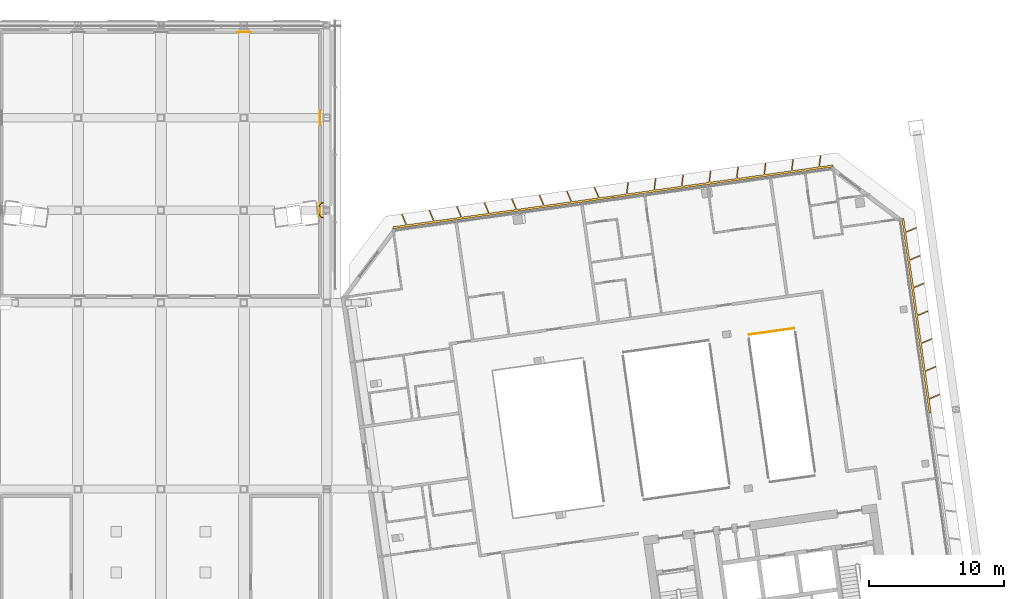
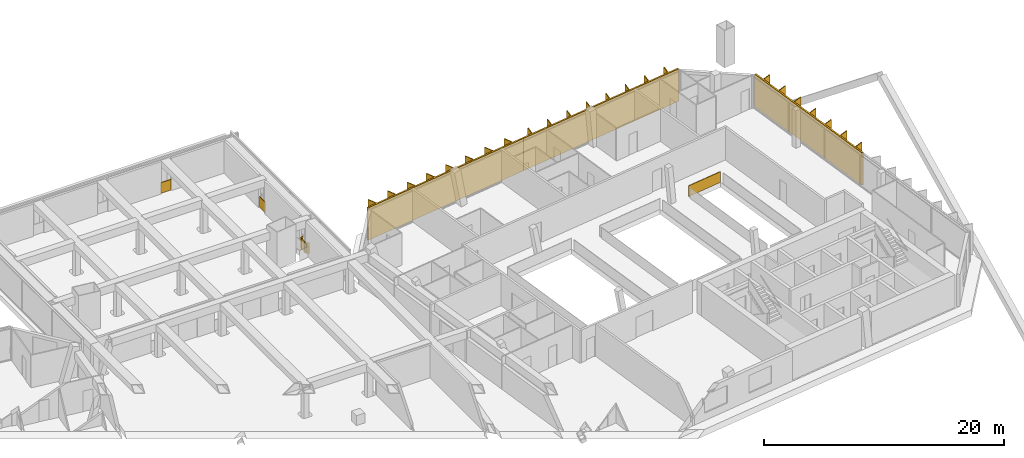
# One storey, part 27 of 28: 6 railings, 3 shading devices.
"""IFC4 building model written with IfcOpenShell, lengths in metres."""

from ifc_helpers import new_model, si_unit, direction, frame, origin, origin_2d, place, context, subcontext, project, spatial, polyline, rectangle, outline, extrude, material, type_object, element, save


model = new_model("IFC4")

# Units and contexts
model_context = context("Model", 3, precision=1e-05, world=origin(), true_north=direction((0.0, 1.0)))
body_context = subcontext(model_context, "Body", "Model", "MODEL_VIEW")
ifc_project = project(units=[si_unit("LENGTHUNIT", "METRE"), si_unit("AREAUNIT", "SQUARE_METRE"), si_unit("VOLUMEUNIT", "CUBIC_METRE"), si_unit("PLANEANGLEUNIT", "RADIAN"), si_unit("MASSUNIT", "GRAM", prefix="KILO")], contexts=[model_context])

# Site, building, storey
site_placement = place(None, origin())
site = spatial("IfcSite", under=ifc_project, at=site_placement, CompositionType="ELEMENT")
building_placement = place(site_placement, origin())
building = spatial("IfcBuilding", under=site, at=building_placement, Name="Mirante Cascada Hotel Towers", CompositionType="ELEMENT")
storey_placement = place(building_placement, frame((0.0, 0.0, 262.2)))
storey = spatial("IfcBuildingStorey", under=building, at=storey_placement, Name="L63", CompositionType="ELEMENT", Elevation=262.2)

# Railings
ifc_material_1 = material(Name="Toughened glass with stainless steel handrail", Category="steel")
railing_type_1 = type_object("IfcRailingType", Name="Atrium guard 1100 glass balustrade", PredefinedType="GUARDRAIL", material=ifc_material_1)
railing_1_placement = place(storey_placement, frame((46.5815, 8.0051, 0.0)))
element("IfcRailing", 1, at=railing_1_placement, inside=storey, type_object=railing_type_1, Name="GUARD 2-L63-5", PredefinedType="GUARDRAIL", context=body_context, shape_type="SweptSolid", body=[
    extrude(rectangle(XDim=0.048, YDim=0.048, at=origin_2d()), frame((0.0, 0.0, 1.076), z_axis=(0.9902566, 0.1392548, 0.0), x_axis=(-0.1392548, 0.9902566, 0.0)), (0.0, 0.0, 1.0), 0.1874),
    extrude(rectangle(XDim=0.02, YDim=1.052, at=origin_2d()), frame((0.0, 0.0, 0.526), z_axis=(0.9902566, 0.1392548, 0.0), x_axis=(-0.1392548, 0.9902566, 0.0)), (0.0, 0.0, 1.0), 0.1874),
    extrude(rectangle(XDim=0.048, YDim=0.048, at=origin_2d()), frame((0.1856, 0.0261, 1.076), z_axis=(-0.9902676, -0.1391767, 0.0), x_axis=(0.1391767, -0.9902676, 0.0)), (0.0, 0.0, 1.0), 3.3748),
    extrude(rectangle(XDim=0.02, YDim=1.052, at=origin_2d()), frame((0.1856, 0.0261, 0.526), z_axis=(-0.9902676, -0.1391767, 0.0), x_axis=(0.1391767, -0.9902676, 0.0)), (0.0, 0.0, 1.0), 3.3748),
    extrude(rectangle(XDim=0.048, YDim=0.048, at=origin_2d()), frame((-3.1564, -0.4436, 1.076), z_axis=(1.0, 0.0, 0.0), x_axis=(0.0, 1.0, 0.0)), (0.0, 0.0, 1.0), 0.0001),
    extrude(rectangle(XDim=0.02, YDim=1.052, at=origin_2d()), frame((-3.1564, -0.4436, 0.526), z_axis=(1.0, 0.0, 0.0), x_axis=(0.0, 1.0, 0.0)), (0.0, 0.0, 1.0), 0.0001),
])
ifc_material_2 = material(Name="Toughened glass", Category="glass")
railing_type_2 = type_object("IfcRailingType", Name="Deck column opening guard 1100 glass balustrade", PredefinedType="GUARDRAIL", material=ifc_material_2)
railing_2_placement = place(storey_placement, frame((11.7014, 16.4975, 0.0)))
element("IfcRailing", 2, at=railing_2_placement, inside=storey, type_object=railing_type_2, Name="Column opening guard L63 5", PredefinedType="GUARDRAIL", context=body_context, shape_type="SweptSolid", body=[
    extrude(rectangle(XDim=0.048, YDim=0.048, at=origin_2d()), frame((0.0, 0.0, 1.076), z_axis=(0.0, -1.0, 0.0), x_axis=(1.0, 0.0, 0.0)), (0.0, 0.0, 1.0), 0.0012),
    extrude(rectangle(XDim=0.02, YDim=1.052, at=origin_2d()), frame((0.0, 0.0, 0.526), z_axis=(0.0, -1.0, 0.0), x_axis=(1.0, 0.0, 0.0)), (0.0, 0.0, 1.0), 0.0012),
    extrude(rectangle(XDim=0.048, YDim=0.048, at=origin_2d()), frame((0.0, -0.0012, 1.076), z_axis=(0.0495843, -0.9987699, 0.0), x_axis=(0.9987699, 0.0495843, 0.0)), (0.0, 0.0, 1.0), 0.0282),
    extrude(rectangle(XDim=0.02, YDim=1.052, at=origin_2d()), frame((0.0, -0.0012, 0.526), z_axis=(0.0495843, -0.9987699, 0.0), x_axis=(0.9987699, 0.0495843, 0.0)), (0.0, 0.0, 1.0), 0.0282),
    extrude(rectangle(XDim=0.048, YDim=0.048, at=origin_2d()), frame((0.0014, -0.0294, 1.076), z_axis=(0.146179, -0.9892582, 0.0), x_axis=(0.9892582, 0.146179, 0.0)), (0.0, 0.0, 1.0), 0.0294),
    extrude(rectangle(XDim=0.02, YDim=1.052, at=origin_2d()), frame((0.0014, -0.0294, 0.526), z_axis=(0.146179, -0.9892582, 0.0), x_axis=(0.9892582, 0.146179, 0.0)), (0.0, 0.0, 1.0), 0.0294),
    extrude(rectangle(XDim=0.048, YDim=0.048, at=origin_2d()), frame((0.0057, -0.0585, 1.076), z_axis=(0.2409384, -0.9705404, 0.0), x_axis=(0.9705404, 0.2409384, 0.0)), (0.0, 0.0, 1.0), 0.0295),
    extrude(rectangle(XDim=0.02, YDim=1.052, at=origin_2d()), frame((0.0057, -0.0585, 0.526), z_axis=(0.2409384, -0.9705404, 0.0), x_axis=(0.9705404, 0.2409384, 0.0)), (0.0, 0.0, 1.0), 0.0295),
    extrude(rectangle(XDim=0.048, YDim=0.048, at=origin_2d()), frame((0.0128, -0.0871, 1.076), z_axis=(0.3365517, -0.941665, 0.0), x_axis=(0.941665, 0.3365517, 0.0)), (0.0, 0.0, 1.0), 0.0294),
    extrude(rectangle(XDim=0.02, YDim=1.052, at=origin_2d()), frame((0.0128, -0.0871, 0.526), z_axis=(0.3365517, -0.941665, 0.0), x_axis=(0.941665, 0.3365517, 0.0)), (0.0, 0.0, 1.0), 0.0294),
    extrude(rectangle(XDim=0.048, YDim=0.048, at=origin_2d()), frame((0.0227, -0.1148, 1.076), z_axis=(0.4280863, -0.9037378, 0.0), x_axis=(0.9037378, 0.4280863, 0.0)), (0.0, 0.0, 1.0), 0.0294),
    extrude(rectangle(XDim=0.02, YDim=1.052, at=origin_2d()), frame((0.0227, -0.1148, 0.526), z_axis=(0.4280863, -0.9037378, 0.0), x_axis=(0.9037378, 0.4280863, 0.0)), (0.0, 0.0, 1.0), 0.0294),
    extrude(rectangle(XDim=0.048, YDim=0.048, at=origin_2d()), frame((0.0353, -0.1414, 1.076), z_axis=(0.5149939, -0.8571938, 0.0), x_axis=(0.8571938, 0.5149939, 0.0)), (0.0, 0.0, 1.0), 0.0295),
    extrude(rectangle(XDim=0.02, YDim=1.052, at=origin_2d()), frame((0.0353, -0.1414, 0.526), z_axis=(0.5149939, -0.8571938, 0.0), x_axis=(0.8571938, 0.5149939, 0.0)), (0.0, 0.0, 1.0), 0.0295),
    extrude(rectangle(XDim=0.048, YDim=0.048, at=origin_2d()), frame((0.0505, -0.1667, 1.076), z_axis=(0.5956345, -0.8032556, 0.0), x_axis=(0.8032556, 0.5956345, 0.0)), (0.0, 0.0, 1.0), 0.0294),
    extrude(rectangle(XDim=0.02, YDim=1.052, at=origin_2d()), frame((0.0505, -0.1667, 0.526), z_axis=(0.5956345, -0.8032556, 0.0), x_axis=(0.8032556, 0.5956345, 0.0)), (0.0, 0.0, 1.0), 0.0294),
    extrude(rectangle(XDim=0.048, YDim=0.048, at=origin_2d()), frame((0.068, -0.1903, 1.076), z_axis=(0.6706472, -0.7417765, 0.0), x_axis=(0.7417765, 0.6706472, 0.0)), (0.0, 0.0, 1.0), 0.0295),
    extrude(rectangle(XDim=0.02, YDim=1.052, at=origin_2d()), frame((0.068, -0.1903, 0.526), z_axis=(0.6706472, -0.7417765, 0.0), x_axis=(0.7417765, 0.6706472, 0.0)), (0.0, 0.0, 1.0), 0.0295),
    extrude(rectangle(XDim=0.048, YDim=0.048, at=origin_2d()), frame((0.0878, -0.2122, 1.076), z_axis=(0.7419388, -0.6704676, 0.0), x_axis=(0.6704676, 0.7419388, 0.0)), (0.0, 0.0, 1.0), 0.0294),
    extrude(rectangle(XDim=0.02, YDim=1.052, at=origin_2d()), frame((0.0878, -0.2122, 0.526), z_axis=(0.7419388, -0.6704676, 0.0), x_axis=(0.6704676, 0.7419388, 0.0)), (0.0, 0.0, 1.0), 0.0294),
    extrude(rectangle(XDim=0.048, YDim=0.048, at=origin_2d()), frame((0.1096, -0.2319, 1.076), z_axis=(0.8028365, -0.5961993, 0.0), x_axis=(0.5961993, 0.8028365, 0.0)), (0.0, 0.0, 1.0), 0.0295),
    extrude(rectangle(XDim=0.02, YDim=1.052, at=origin_2d()), frame((0.1096, -0.2319, 0.526), z_axis=(0.8028365, -0.5961993, 0.0), x_axis=(0.5961993, 0.8028365, 0.0)), (0.0, 0.0, 1.0), 0.0295),
    extrude(rectangle(XDim=0.048, YDim=0.048, at=origin_2d()), frame((0.1333, -0.2495, 1.076), z_axis=(0.8577931, -0.5139951, 0.0), x_axis=(0.5139951, 0.8577931, 0.0)), (0.0, 0.0, 1.0), 0.0294),
    extrude(rectangle(XDim=0.02, YDim=1.052, at=origin_2d()), frame((0.1333, -0.2495, 0.526), z_axis=(0.8577931, -0.5139951, 0.0), x_axis=(0.5139951, 0.8577931, 0.0)), (0.0, 0.0, 1.0), 0.0294),
    extrude(rectangle(XDim=0.048, YDim=0.048, at=origin_2d()), frame((0.1585, -0.2646, 1.076), z_axis=(0.9037378, -0.4280863, 0.0), x_axis=(0.4280863, 0.9037378, 0.0)), (0.0, 0.0, 1.0), 0.0294),
    extrude(rectangle(XDim=0.02, YDim=1.052, at=origin_2d()), frame((0.1585, -0.2646, 0.526), z_axis=(0.9037378, -0.4280863, 0.0), x_axis=(0.4280863, 0.9037378, 0.0)), (0.0, 0.0, 1.0), 0.0294),
    extrude(rectangle(XDim=0.048, YDim=0.048, at=origin_2d()), frame((0.1851, -0.2772, 1.076), z_axis=(0.9420482, -0.3354776, 0.0), x_axis=(0.3354776, 0.9420482, 0.0)), (0.0, 0.0, 1.0), 0.0295),
    extrude(rectangle(XDim=0.02, YDim=1.052, at=origin_2d()), frame((0.1851, -0.2772, 0.526), z_axis=(0.9420482, -0.3354776, 0.0), x_axis=(0.3354776, 0.9420482, 0.0)), (0.0, 0.0, 1.0), 0.0295),
    extrude(rectangle(XDim=0.048, YDim=0.048, at=origin_2d()), frame((0.2129, -0.2871, 1.076), z_axis=(0.9695392, -0.2449362, 0.0), x_axis=(0.2449362, 0.9695392, 0.0)), (0.0, 0.0, 1.0), 0.0294),
    extrude(rectangle(XDim=0.02, YDim=1.052, at=origin_2d()), frame((0.2129, -0.2871, 0.526), z_axis=(0.9695392, -0.2449362, 0.0), x_axis=(0.2449362, 0.9695392, 0.0)), (0.0, 0.0, 1.0), 0.0294),
    extrude(rectangle(XDim=0.048, YDim=0.048, at=origin_2d()), frame((0.2414, -0.2943, 1.076), z_axis=(0.9893304, -0.1456891, 0.0), x_axis=(0.1456891, 0.9893304, 0.0)), (0.0, 0.0, 1.0), 0.0295),
    extrude(rectangle(XDim=0.02, YDim=1.052, at=origin_2d()), frame((0.2414, -0.2943, 0.526), z_axis=(0.9893304, -0.1456891, 0.0), x_axis=(0.1456891, 0.9893304, 0.0)), (0.0, 0.0, 1.0), 0.0295),
    extrude(rectangle(XDim=0.048, YDim=0.048, at=origin_2d()), frame((0.2706, -0.2986, 1.076), z_axis=(0.9987612, -0.0497603, 0.0), x_axis=(0.0497603, 0.9987612, 0.0)), (0.0, 0.0, 1.0), 0.0281),
    extrude(rectangle(XDim=0.02, YDim=1.052, at=origin_2d()), frame((0.2706, -0.2986, 0.526), z_axis=(0.9987612, -0.0497603, 0.0), x_axis=(0.0497603, 0.9987612, 0.0)), (0.0, 0.0, 1.0), 0.0281),
    extrude(rectangle(XDim=0.048, YDim=0.048, at=origin_2d()), frame((0.2987, -0.3, 1.076), z_axis=(1.0, 0.0, 0.0), x_axis=(0.0, 1.0, 0.0)), (0.0, 0.0, 1.0), 0.0013),
    extrude(rectangle(XDim=0.02, YDim=1.052, at=origin_2d()), frame((0.2987, -0.3, 0.526), z_axis=(1.0, 0.0, 0.0), x_axis=(0.0, 1.0, 0.0)), (0.0, 0.0, 1.0), 0.0013),
])
railing_3_placement = place(storey_placement, frame((12.0014, 17.2975, 0.0)))
element("IfcRailing", 3, at=railing_3_placement, inside=storey, type_object=railing_type_2, Name="Column opening guard L63 6", PredefinedType="GUARDRAIL", context=body_context, shape_type="SweptSolid", body=[
    extrude(rectangle(XDim=0.048, YDim=0.048, at=origin_2d()), frame((0.0, 0.0, 1.076), z_axis=(-1.0, 0.0, 0.0), x_axis=(0.0, -1.0, 0.0)), (0.0, 0.0, 1.0), 0.0013),
    extrude(rectangle(XDim=0.02, YDim=1.052, at=origin_2d()), frame((0.0, 0.0, 0.526), z_axis=(-1.0, 0.0, 0.0), x_axis=(0.0, -1.0, 0.0)), (0.0, 0.0, 1.0), 0.0013),
    extrude(rectangle(XDim=0.048, YDim=0.048, at=origin_2d()), frame((-0.0013, 0.0, 1.076), z_axis=(-0.9987612, -0.0497603, 0.0), x_axis=(0.0497603, -0.9987612, 0.0)), (0.0, 0.0, 1.0), 0.0281),
    extrude(rectangle(XDim=0.02, YDim=1.052, at=origin_2d()), frame((-0.0013, 0.0, 0.526), z_axis=(-0.9987612, -0.0497603, 0.0), x_axis=(0.0497603, -0.9987612, 0.0)), (0.0, 0.0, 1.0), 0.0281),
    extrude(rectangle(XDim=0.048, YDim=0.048, at=origin_2d()), frame((-0.0294, -0.0014, 1.076), z_axis=(-0.9893304, -0.1456891, 0.0), x_axis=(0.1456891, -0.9893304, 0.0)), (0.0, 0.0, 1.0), 0.0295),
    extrude(rectangle(XDim=0.02, YDim=1.052, at=origin_2d()), frame((-0.0294, -0.0014, 0.526), z_axis=(-0.9893304, -0.1456891, 0.0), x_axis=(0.1456891, -0.9893304, 0.0)), (0.0, 0.0, 1.0), 0.0295),
    extrude(rectangle(XDim=0.048, YDim=0.048, at=origin_2d()), frame((-0.0586, -0.0057, 1.076), z_axis=(-0.9703424, -0.2417344, 0.0), x_axis=(0.2417344, -0.9703424, 0.0)), (0.0, 0.0, 1.0), 0.0294),
    extrude(rectangle(XDim=0.02, YDim=1.052, at=origin_2d()), frame((-0.0586, -0.0057, 0.526), z_axis=(-0.9703424, -0.2417344, 0.0), x_axis=(0.2417344, -0.9703424, 0.0)), (0.0, 0.0, 1.0), 0.0294),
    extrude(rectangle(XDim=0.048, YDim=0.048, at=origin_2d()), frame((-0.0871, -0.0128, 1.076), z_axis=(-0.9409737, -0.3384797, 0.0), x_axis=(0.3384797, -0.9409737, 0.0)), (0.0, 0.0, 1.0), 0.0295),
    extrude(rectangle(XDim=0.02, YDim=1.052, at=origin_2d()), frame((-0.0871, -0.0128, 0.526), z_axis=(-0.9409737, -0.3384797, 0.0), x_axis=(0.3384797, -0.9409737, 0.0)), (0.0, 0.0, 1.0), 0.0295),
    extrude(rectangle(XDim=0.048, YDim=0.048, at=origin_2d()), frame((-0.1149, -0.0228, 1.076), z_axis=(-0.9037378, -0.4280863, 0.0), x_axis=(0.4280863, -0.9037378, 0.0)), (0.0, 0.0, 1.0), 0.0294),
    extrude(rectangle(XDim=0.02, YDim=1.052, at=origin_2d()), frame((-0.1149, -0.0228, 0.526), z_axis=(-0.9037378, -0.4280863, 0.0), x_axis=(0.4280863, -0.9037378, 0.0)), (0.0, 0.0, 1.0), 0.0294),
    extrude(rectangle(XDim=0.048, YDim=0.048, at=origin_2d()), frame((-0.1415, -0.0354, 1.076), z_axis=(-0.8577931, -0.5139951, 0.0), x_axis=(0.5139951, -0.8577931, 0.0)), (0.0, 0.0, 1.0), 0.0294),
    extrude(rectangle(XDim=0.02, YDim=1.052, at=origin_2d()), frame((-0.1415, -0.0354, 0.526), z_axis=(-0.8577931, -0.5139951, 0.0), x_axis=(0.5139951, -0.8577931, 0.0)), (0.0, 0.0, 1.0), 0.0294),
    extrude(rectangle(XDim=0.048, YDim=0.048, at=origin_2d()), frame((-0.1667, -0.0505, 1.076), z_axis=(-0.8044582, -0.5940092, 0.0), x_axis=(0.5940092, -0.8044582, 0.0)), (0.0, 0.0, 1.0), 0.0295),
    extrude(rectangle(XDim=0.02, YDim=1.052, at=origin_2d()), frame((-0.1667, -0.0505, 0.526), z_axis=(-0.8044582, -0.5940092, 0.0), x_axis=(0.5940092, -0.8044582, 0.0)), (0.0, 0.0, 1.0), 0.0295),
    extrude(rectangle(XDim=0.048, YDim=0.048, at=origin_2d()), frame((-0.1904, -0.068, 1.076), z_axis=(-0.7402473, -0.6723347, 0.0), x_axis=(0.6723347, -0.7402473, 0.0)), (0.0, 0.0, 1.0), 0.0294),
    extrude(rectangle(XDim=0.02, YDim=1.052, at=origin_2d()), frame((-0.1904, -0.068, 0.526), z_axis=(-0.7402473, -0.6723347, 0.0), x_axis=(0.6723347, -0.7402473, 0.0)), (0.0, 0.0, 1.0), 0.0294),
    extrude(rectangle(XDim=0.048, YDim=0.048, at=origin_2d()), frame((-0.2122, -0.0878, 1.076), z_axis=(-0.6723347, -0.7402473, 0.0), x_axis=(0.7402473, -0.6723347, 0.0)), (0.0, 0.0, 1.0), 0.0294),
    extrude(rectangle(XDim=0.02, YDim=1.052, at=origin_2d()), frame((-0.2122, -0.0878, 0.526), z_axis=(-0.6723347, -0.7402473, 0.0), x_axis=(0.7402473, -0.6723347, 0.0)), (0.0, 0.0, 1.0), 0.0294),
    extrude(rectangle(XDim=0.048, YDim=0.048, at=origin_2d()), frame((-0.232, -0.1096, 1.076), z_axis=(-0.5940092, -0.8044582, 0.0), x_axis=(0.8044582, -0.5940092, 0.0)), (0.0, 0.0, 1.0), 0.0295),
    extrude(rectangle(XDim=0.02, YDim=1.052, at=origin_2d()), frame((-0.232, -0.1096, 0.526), z_axis=(-0.5940092, -0.8044582, 0.0), x_axis=(0.8044582, -0.5940092, 0.0)), (0.0, 0.0, 1.0), 0.0295),
    extrude(rectangle(XDim=0.048, YDim=0.048, at=origin_2d()), frame((-0.2495, -0.1333, 1.076), z_axis=(-0.5164932, -0.8562913, 0.0), x_axis=(0.8562913, -0.5164932, 0.0)), (0.0, 0.0, 1.0), 0.0294),
    extrude(rectangle(XDim=0.02, YDim=1.052, at=origin_2d()), frame((-0.2495, -0.1333, 0.526), z_axis=(-0.5164932, -0.8562913, 0.0), x_axis=(0.8562913, -0.5164932, 0.0)), (0.0, 0.0, 1.0), 0.0294),
    extrude(rectangle(XDim=0.048, YDim=0.048, at=origin_2d()), frame((-0.2647, -0.1585, 1.076), z_axis=(-0.4267755, -0.9043576, 0.0), x_axis=(0.9043576, -0.4267755, 0.0)), (0.0, 0.0, 1.0), 0.0295),
    extrude(rectangle(XDim=0.02, YDim=1.052, at=origin_2d()), frame((-0.2647, -0.1585, 0.526), z_axis=(-0.4267755, -0.9043576, 0.0), x_axis=(0.9043576, -0.4267755, 0.0)), (0.0, 0.0, 1.0), 0.0295),
    extrude(rectangle(XDim=0.048, YDim=0.048, at=origin_2d()), frame((-0.2773, -0.1852, 1.076), z_axis=(-0.3365517, -0.941665, 0.0), x_axis=(0.941665, -0.3365517, 0.0)), (0.0, 0.0, 1.0), 0.0294),
    extrude(rectangle(XDim=0.02, YDim=1.052, at=origin_2d()), frame((-0.2773, -0.1852, 0.526), z_axis=(-0.3365517, -0.941665, 0.0), x_axis=(0.941665, -0.3365517, 0.0)), (0.0, 0.0, 1.0), 0.0294),
    extrude(rectangle(XDim=0.048, YDim=0.048, at=origin_2d()), frame((-0.2872, -0.2129, 1.076), z_axis=(-0.2417344, -0.9703424, 0.0), x_axis=(0.9703424, -0.2417344, 0.0)), (0.0, 0.0, 1.0), 0.0294),
    extrude(rectangle(XDim=0.02, YDim=1.052, at=origin_2d()), frame((-0.2872, -0.2129, 0.526), z_axis=(-0.2417344, -0.9703424, 0.0), x_axis=(0.9703424, -0.2417344, 0.0)), (0.0, 0.0, 1.0), 0.0294),
    extrude(rectangle(XDim=0.048, YDim=0.048, at=origin_2d()), frame((-0.2943, -0.2414, 1.076), z_axis=(-0.1456891, -0.9893304, 0.0), x_axis=(0.9893304, -0.1456891, 0.0)), (0.0, 0.0, 1.0), 0.0295),
    extrude(rectangle(XDim=0.02, YDim=1.052, at=origin_2d()), frame((-0.2943, -0.2414, 0.526), z_axis=(-0.1456891, -0.9893304, 0.0), x_axis=(0.9893304, -0.1456891, 0.0)), (0.0, 0.0, 1.0), 0.0295),
    extrude(rectangle(XDim=0.048, YDim=0.048, at=origin_2d()), frame((-0.2986, -0.2706, 1.076), z_axis=(-0.0495843, -0.9987699, 0.0), x_axis=(0.9987699, -0.0495843, 0.0)), (0.0, 0.0, 1.0), 0.0282),
    extrude(rectangle(XDim=0.02, YDim=1.052, at=origin_2d()), frame((-0.2986, -0.2706, 0.526), z_axis=(-0.0495843, -0.9987699, 0.0), x_axis=(0.9987699, -0.0495843, 0.0)), (0.0, 0.0, 1.0), 0.0282),
    extrude(rectangle(XDim=0.048, YDim=0.048, at=origin_2d()), frame((-0.3, -0.2988, 1.076), z_axis=(0.0, -1.0, 0.0), x_axis=(1.0, 0.0, 0.0)), (0.0, 0.0, 1.0), 0.0012),
    extrude(rectangle(XDim=0.02, YDim=1.052, at=origin_2d()), frame((-0.3, -0.2988, 0.526), z_axis=(0.0, -1.0, 0.0), x_axis=(1.0, 0.0, 0.0)), (0.0, 0.0, 1.0), 0.0012),
])
ifc_material_3 = material(Name="Toughened glass", Category="glass")
railing_type_3 = type_object("IfcRailingType", Name="Truss bay glazed screen 1100", PredefinedType="GUARDRAIL", material=ifc_material_3)
railing_4_placement = place(storey_placement, frame((5.63, 29.91, 0.0)))
element("IfcRailing", 4, at=railing_4_placement, inside=storey, type_object=railing_type_3, Name="Truss bay glazed screen L63 6", PredefinedType="GUARDRAIL", context=body_context, shape_type="SweptSolid", body=[
    extrude(rectangle(XDim=0.048, YDim=0.048, at=origin_2d()), frame((0.0, 0.0, 1.076), z_axis=(1.0, 0.0, 0.0), x_axis=(0.0, 1.0, 0.0)), (0.0, 0.0, 1.0), 1.0),
    extrude(rectangle(XDim=0.02, YDim=1.052, at=origin_2d()), frame((0.0, 0.0, 0.526), z_axis=(1.0, 0.0, 0.0), x_axis=(0.0, 1.0, 0.0)), (0.0, 0.0, 1.0), 1.0),
])
for number, where, name in (
    (5, (11.75, 16.25, 0.0), "Truss bay glazed screen L63 9"),
    (6, (11.75, 23.08, 0.0), "Truss bay glazed screen L63 10"),
):
    element("IfcRailing", number, at=place(storey_placement, frame(where)), inside=storey, type_object=railing_type_3, Name=name, PredefinedType="GUARDRAIL", context=body_context, shape_type="SweptSolid", body=[
        extrude(rectangle(XDim=0.048, YDim=0.048, at=origin_2d()), frame((0.0, 0.0, 1.076), z_axis=(0.0, 1.0, 0.0), x_axis=(-1.0, 0.0, 0.0)), (0.0, 0.0, 1.0), 1.0),
        extrude(rectangle(XDim=0.02, YDim=1.052, at=origin_2d()), frame((0.0, 0.0, 0.526), z_axis=(0.0, 1.0, 0.0), x_axis=(-1.0, 0.0, 0.0)), (0.0, 0.0, 1.0), 1.0),
    ])

# Shading devices
ifc_material_4 = material(Name="White precast concrete C50/60 fin", Category="concrete")
shading_device_type = type_object("IfcShadingDeviceType", Name="Vertical fin set 4500x900", PredefinedType="USERDEFINED", material=ifc_material_4)
shading_device_1_placement = place(storey_placement, origin())
element("IfcShadingDevice", 7, at=shading_device_1_placement, inside=storey, type_object=shading_device_type, Name="FIN T2 L63 front 1", ObjectType="FIN", PredefinedType="USERDEFINED", context=body_context, shape_type="SweptSolid", body=[
    extrude(outline(polyline([(34.5413, 18.7934), (34.4392, 17.9621), (36.388, 18.236), (36.4927, 19.0885), (36.5721, 19.0788), (36.47, 18.2475), (38.4188, 18.5214), (38.5235, 19.3739), (38.6029, 19.3642), (38.5008, 18.5329), (40.4496, 18.8068), (40.5542, 19.6593), (40.6337, 19.6496), (40.5316, 18.8183), (42.4804, 19.0922), (42.585, 19.9447), (42.6644, 19.935), (42.5624, 19.1037), (44.5112, 19.3776), (44.6158, 20.2302), (44.6952, 20.2204), (44.5932, 19.3891), (46.5419, 19.663), (46.6466, 20.5156), (46.726, 20.5058), (46.624, 19.6745), (48.5727, 19.9484), (48.6774, 20.801), (48.7568, 20.7912), (48.6547, 19.96), (49.6159, 20.095), (49.6367, 19.9465), (33.3904, 17.6632), (33.3695, 17.8118), (34.3572, 17.9506), (34.4619, 18.8031), (34.5413, 18.7934)])), origin(), (0.0, 0.0, 1.0), 3.3),
])
shading_device_2_placement = place(storey_placement, origin())
element("IfcShadingDevice", 8, at=shading_device_2_placement, inside=storey, type_object=shading_device_type, Name="FIN T2 L63 front 2", ObjectType="FIN", PredefinedType="USERDEFINED", context=body_context, shape_type="SweptSolid", body=[
    extrude(outline(polyline([(17.8307, 16.4658), (18.1664, 15.6751), (20.1151, 15.949), (19.7879, 16.7199), (19.8615, 16.7512), (20.1971, 15.9605), (22.1459, 16.2344), (21.8187, 17.0053), (21.8923, 17.0366), (22.2279, 16.2459), (24.1767, 16.5198), (23.8495, 17.2907), (23.9231, 17.322), (24.2587, 16.5313), (26.2075, 16.8052), (25.8803, 17.5761), (25.9539, 17.6074), (26.2895, 16.8167), (28.2383, 17.0906), (27.911, 17.8615), (27.9847, 17.8928), (28.3203, 17.1021), (30.2691, 17.376), (29.9418, 18.147), (30.0155, 18.1782), (30.3511, 17.3875), (32.2999, 17.6614), (31.9726, 18.4324), (32.0463, 18.4636), (32.3819, 17.673), (33.3695, 17.8118), (33.3904, 17.6632), (17.1441, 15.3799), (17.1232, 15.5285), (18.0843, 15.6636), (17.7571, 16.4345), (17.8307, 16.4658)])), origin(), (0.0, 0.0, 1.0), 3.3),
])
shading_device_3_placement = place(storey_placement, origin())
element("IfcShadingDevice", 9, at=shading_device_3_placement, inside=storey, type_object=shading_device_type, Name="FIN T2 L63 outer 2", ObjectType="FIN", PredefinedType="USERDEFINED", context=body_context, shape_type="SweptSolid", body=[
    extrude(outline(polyline([(57.5362, 3.1121), (56.7455, 2.7764), (56.8858, 1.7785), (56.7372, 1.7577), (54.7192, 16.1166), (54.8678, 16.1374), (55.0043, 15.1661), (55.7752, 15.4933), (55.8065, 15.4197), (55.0158, 15.0841), (55.2926, 13.1148), (56.0635, 13.4421), (56.0948, 13.3684), (55.3041, 13.0328), (55.5809, 11.0635), (56.3518, 11.3908), (56.3831, 11.3171), (55.5924, 10.9815), (55.8691, 9.0123), (56.6401, 9.3395), (56.6713, 9.2659), (55.8807, 8.9303), (56.1574, 6.961), (56.9284, 7.2882), (56.9596, 7.2146), (56.169, 6.879), (56.4457, 4.9097), (57.2167, 5.237), (57.2479, 5.1633), (56.4572, 4.8277), (56.734, 2.8585), (57.5049, 3.1857), (57.5362, 3.1121)])), origin(), (0.0, 0.0, 1.0), 3.3),
])

save(model, "model.ifc")
